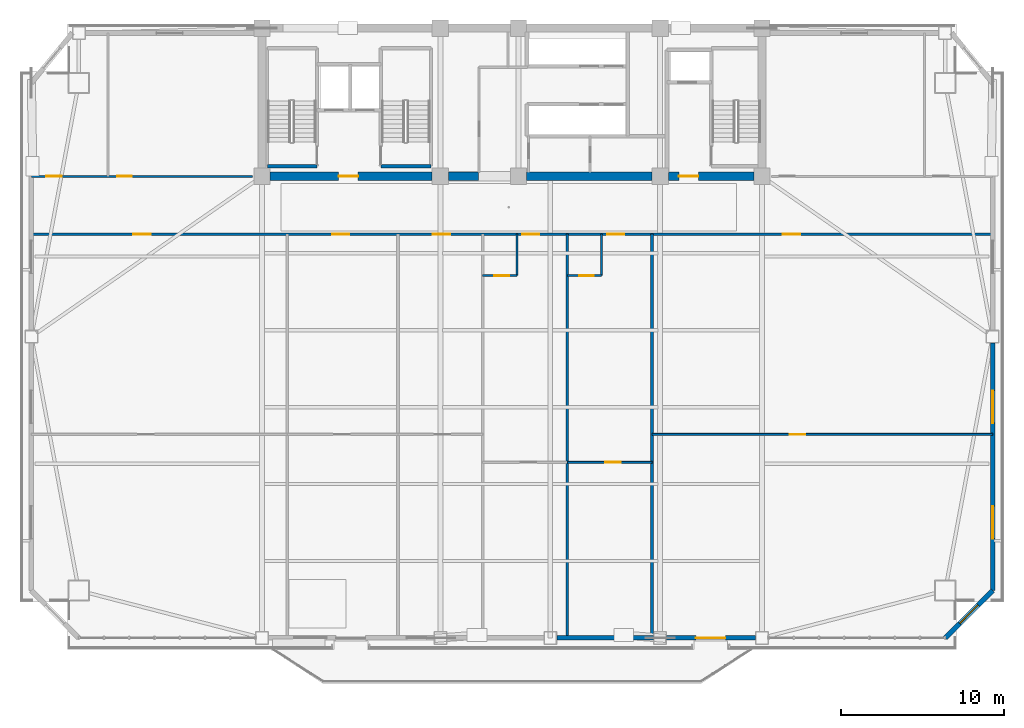
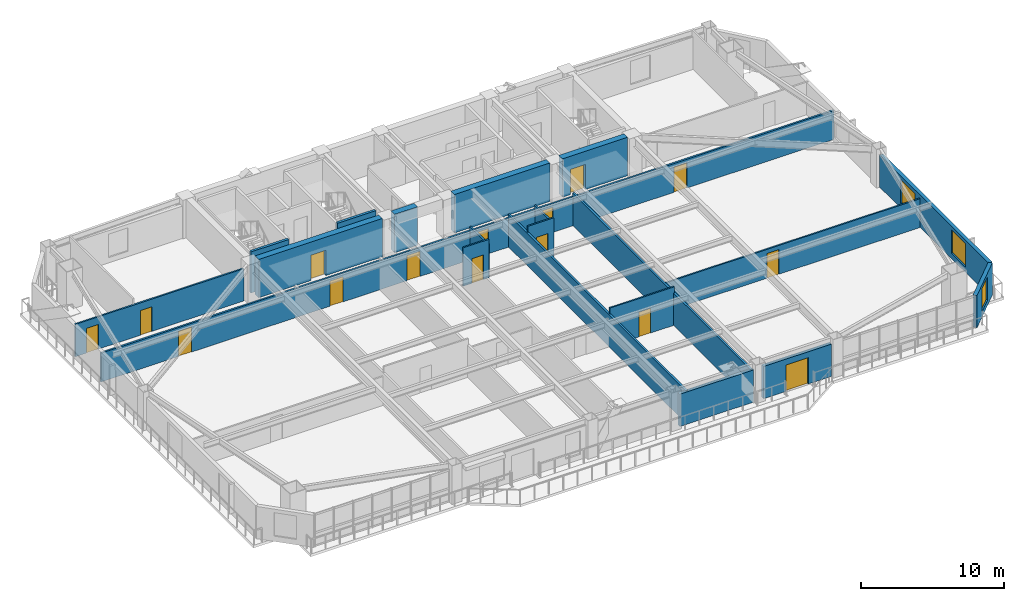
# One storey, part 8 of 16: 20 walls, 15 doors, 3 windows, 18 openings.
"""IFC4 building model written with IfcOpenShell, lengths in metres."""

import ifcopenshell
import ifcopenshell.guid

model = None  # the IFC model being written
_history = None  # IfcOwnerHistory: only IFC2X3 demands one
_inside = {}  # id of a spatial element -> (the spatial element, [elements in it])
_under = {}  # id of a project, library or spatial element -> (it, [spatial elements below it])
_declared = {}  # id of a project -> (the project, [libraries it declares])
_typed = {}  # id of a type object -> (the type object, [elements of that type])
_made_of = {}  # id of a material, layer set ... -> (it, [elements and type objects made of it])


def new_model(schema):
    """Start an empty IFC model of exactly this schema.

    Asked for "IFC4X3", IfcOpenShell would pick the latest addendum, in which some entities
    have other attributes; the version numbers below select the first issue.
    IFC2X3 requires an IfcOwnerHistory on every rooted entity: one is made here for all.
    """
    global model, _history
    if schema == "IFC4X3":
        model = ifcopenshell.file(schema_version=(4, 3, 0, 0))
    else:
        model = ifcopenshell.file(schema=schema)
    _inside.clear()
    _under.clear()
    _declared.clear()
    _typed.clear()
    _made_of.clear()
    _history = None
    if model.schema == "IFC2X3":
        org = make("IfcOrganization", Name="unknown")
        user = make(
            "IfcPersonAndOrganization",
            ThePerson=make("IfcPerson", FamilyName="unknown"),
            TheOrganization=org,
        )
        app = make(
            "IfcApplication",
            ApplicationDeveloper=org,
            Version="unknown",
            ApplicationFullName="unknown",
            ApplicationIdentifier="unknown",
        )
        _history = make(
            "IfcOwnerHistory",
            OwningUser=user,
            OwningApplication=app,
            ChangeAction="ADDED",
            CreationDate=0,
        )
    return model


def make(cls, **values):
    """One entity of the class cls with the attributes given. An attribute that is None is left unset."""
    return model.create_entity(
        cls, **{name: value for name, value in values.items() if value is not None}
    )


def rooted(cls, **values):
    """An entity with a GlobalId (a new one), such as an element, a storey or a relation."""
    return make(cls, GlobalId=ifcopenshell.guid.new(), OwnerHistory=_history, **values)


def si_unit(unit_type, name, prefix=None):
    """IfcSIUnit, for example si_unit("LENGTHUNIT", "METRE", prefix="MILLI")."""
    return make("IfcSIUnit", UnitType=unit_type, Prefix=prefix, Name=name)


def assignment(units):
    """IfcUnitAssignment: the units of a project."""
    return None if units is None else make("IfcUnitAssignment", Units=units)


def point(xyz):
    """IfcCartesianPoint."""
    return None if xyz is None else make("IfcCartesianPoint", Coordinates=xyz)


def direction(xyz):
    """IfcDirection."""
    return None if xyz is None else make("IfcDirection", DirectionRatios=xyz)


def frame(location, z_axis=None, x_axis=None):
    """IfcAxis2Placement3D, a coordinate frame: its origin and axes. An axis left out is left unset."""
    return make(
        "IfcAxis2Placement3D",
        Location=point(location),
        Axis=direction(z_axis),
        RefDirection=direction(x_axis),
    )


def frame_2d(location, x_axis=None):
    """IfcAxis2Placement2D, a coordinate frame in the plane: its origin and x axis."""
    return make(
        "IfcAxis2Placement2D", Location=point(location), RefDirection=direction(x_axis)
    )


def origin():
    """The frame at (0, 0, 0) with its axes left unset."""
    return frame((0.0, 0.0, 0.0))


def place(relative_to, where):
    """IfcLocalPlacement: puts the frame where relative to a parent placement (None: the world)."""
    return make(
        "IfcLocalPlacement", PlacementRelTo=relative_to, RelativePlacement=where
    )


def context(
    kind, dimensions, precision=None, world=None, true_north=None, identifier=None
):
    """IfcGeometricRepresentationContext, for example the 3D "Model" context."""
    return make(
        "IfcGeometricRepresentationContext",
        ContextIdentifier=identifier,
        ContextType=kind,
        CoordinateSpaceDimension=dimensions,
        Precision=precision,
        WorldCoordinateSystem=world,
        TrueNorth=true_north,
    )


def subcontext(parent, identifier, kind, view, scale=None):
    """IfcGeometricRepresentationSubContext, for example "Body" below "Model"."""
    return make(
        "IfcGeometricRepresentationSubContext",
        ContextIdentifier=identifier,
        ContextType=kind,
        ParentContext=parent,
        TargetScale=scale,
        TargetView=view,
    )


def project(units=None, contexts=None):
    """IfcProject with its units and contexts."""
    return rooted(
        "IfcProject",
        Name="project",
        RepresentationContexts=contexts,
        UnitsInContext=assignment(units),
    )


def spatial(cls, under=None, at=None, **own):
    """A site, building, storey or space (cls), placed at a placement, below another one or the project."""
    s = rooted(cls, ObjectPlacement=at, **own)
    if under is not None:
        _under.setdefault(under.id(), (under, []))[1].append(s)
    return s


def profile(cls, at=None, kind="AREA", **sizes):
    """A parametric profile (cls). Its sizes go by their IFC names, for example OverallWidth=200.0."""
    return make(cls, ProfileType=kind, Position=at, **sizes)


def rectangle(**sizes):
    """IfcRectangleProfileDef."""
    return profile("IfcRectangleProfileDef", **sizes)


def extrude(swept, where, along, depth):
    """IfcExtrudedAreaSolid: the profile swept, set in the frame where, extruded along a direction by depth."""
    return make(
        "IfcExtrudedAreaSolid",
        SweptArea=swept,
        Position=where,
        ExtrudedDirection=direction(along),
        Depth=depth,
    )


def shape(context_of_items, identifier, shape_type, items):
    """IfcShapeRepresentation: the items that make up one representation, for example the "Body"."""
    return make(
        "IfcShapeRepresentation",
        ContextOfItems=context_of_items,
        RepresentationIdentifier=identifier,
        RepresentationType=shape_type,
        Items=items,
    )


def source(mapping_origin, context_of_items, identifier, shape_type, items):
    """IfcRepresentationMap: a shape defined once, which mapped items show again and again."""
    return make(
        "IfcRepresentationMap",
        MappingOrigin=mapping_origin,
        MappedRepresentation=shape(context_of_items, identifier, shape_type, items),
    )


def transform(
    local_origin,
    x_axis=None,
    y_axis=None,
    z_axis=None,
    scale=None,
    scale2=None,
    scale3=None,
    uniform=True,
):
    """IfcCartesianTransformationOperator3D, or its non-uniform kind. x_axis, y_axis, z_axis: its Axis1, 2, 3."""
    if uniform:
        return make(
            "IfcCartesianTransformationOperator3D",
            Axis1=direction(x_axis),
            Axis2=direction(y_axis),
            LocalOrigin=point(local_origin),
            Scale=scale,
            Axis3=direction(z_axis),
        )
    return make(
        "IfcCartesianTransformationOperator3DnonUniform",
        Axis1=direction(x_axis),
        Axis2=direction(y_axis),
        LocalOrigin=point(local_origin),
        Scale=scale,
        Axis3=direction(z_axis),
        Scale2=scale2,
        Scale3=scale3,
    )


def mapped(mapping_source, mapping_target):
    """IfcMappedItem: shows the shape of a source again, moved by a transform."""
    return make(
        "IfcMappedItem", MappingSource=mapping_source, MappingTarget=mapping_target
    )


def material(Name=None, Category=None):
    """IfcMaterial."""
    return make("IfcMaterial", Name=Name, Category=Category)


def layer(
    of_material, thickness, ventilated=None, Name=None, Category=None, Priority=None
):
    """IfcMaterialLayer: one layer of a wall or slab, of a material (None: an air gap)."""
    return make(
        "IfcMaterialLayer",
        Material=of_material,
        LayerThickness=thickness,
        IsVentilated=ventilated,
        Name=Name,
        Category=Category,
        Priority=Priority,
    )


def layer_set(layers, Name=None):
    """IfcMaterialLayerSet."""
    return make("IfcMaterialLayerSet", MaterialLayers=layers, LayerSetName=Name)


def made_of(thing, what):
    """Note that an element or type object is made of a material, layer set ...; save() writes the relation."""
    if what is not None:
        _made_of.setdefault(what.id(), (what, []))[1].append(thing)
    return thing


def type_object(cls, material=None, **own):
    """A type object (cls), such as IfcWallType, which elements share."""
    return made_of(rooted(cls, **own), material)


def element(
    cls,
    number,
    at=None,
    inside=None,
    cuts=None,
    type_object=None,
    material=None,
    context=None,
    identifier="Body",
    shape_type=None,
    held_by="IfcProductDefinitionShape",
    body=None,
    shapes=None,
    **own,
):
    """One element of the class cls, such as IfcWall. Its Tag is "e" and its number.

    at: its placement. inside: the storey or other place that contains it. cuts: it is an
    opening in that element (IfcRelVoidsElement). A single representation is given by context,
    identifier, shape_type and body (its items); several are given by shapes. held_by: the class
    of the entity that holds the representations. save() writes the other relations.
    """
    e = rooted(cls, Tag="e%d" % number, ObjectPlacement=at, **own)
    if body is not None:
        shapes = [shape(context, identifier, shape_type, body)]
    if shapes is not None:
        e.Representation = make(held_by, Representations=shapes)
    if inside is not None:
        _inside.setdefault(inside.id(), (inside, []))[1].append(e)
    if cuts is not None:
        rooted(
            "IfcRelVoidsElement", RelatingBuildingElement=cuts, RelatedOpeningElement=e
        )
    if type_object is not None:
        _typed.setdefault(type_object.id(), (type_object, []))[1].append(e)
    return made_of(e, material)


def fill(opening, filler):
    """IfcRelFillsElement: the door or window that sits in an opening."""
    return rooted(
        "IfcRelFillsElement",
        RelatingOpeningElement=opening,
        RelatedBuildingElement=filler,
    )


def aggregate(whole, parts):
    """IfcRelAggregates: a whole, such as a stair, and the parts it consists of."""
    return rooted("IfcRelAggregates", RelatingObject=whole, RelatedObjects=parts)


def save(model, path):
    """Write the relations noted so far, then the file.

    IfcRelAggregates (storeys below a building ...), IfcRelContainedInSpatialStructure (elements
    in a storey), IfcRelDefinesByType, IfcRelAssociatesMaterial and IfcRelDeclares: one each for
    every whole, place, type object, material and project.
    """
    for whole, parts in _under.values():
        aggregate(whole, parts)
    for where, things in _inside.values():
        rooted(
            "IfcRelContainedInSpatialStructure",
            RelatedElements=things,
            RelatingStructure=where,
        )
    for kind, things in _typed.values():
        rooted("IfcRelDefinesByType", RelatedObjects=things, RelatingType=kind)
    for what, things in _made_of.values():
        rooted("IfcRelAssociatesMaterial", RelatedObjects=things, RelatingMaterial=what)
    for by, libraries in _declared.values():
        rooted("IfcRelDeclares", RelatingContext=by, RelatedDefinitions=libraries)
    model.write(path)


model = new_model("IFC4")

# Units and contexts
model_context = context("Model", 3, precision=1e-05, world=origin(), true_north=direction((0.0, 1.0)))
body_context = subcontext(model_context, "Body", "Model", "MODEL_VIEW")
ifc_project = project(units=[si_unit("LENGTHUNIT", "METRE"), si_unit("AREAUNIT", "SQUARE_METRE"), si_unit("VOLUMEUNIT", "CUBIC_METRE"), si_unit("PLANEANGLEUNIT", "RADIAN"), si_unit("MASSUNIT", "GRAM", prefix="KILO")], contexts=[model_context])

# Site, building, storey
site_placement = place(None, origin())
site = spatial("IfcSite", under=ifc_project, at=site_placement, CompositionType="ELEMENT")
building_placement = place(site_placement, origin())
building = spatial("IfcBuilding", under=site, at=building_placement, Name="Giltprow Tower", CompositionType="ELEMENT")
storey_placement = place(building_placement, frame((0.0, 0.0, 159.699951171875)))
storey = spatial("IfcBuildingStorey", under=building, at=storey_placement, Name="L39", CompositionType="ELEMENT", Elevation=159.699951171875)

# Wall, opening, window
ifc_material_1 = material(Name="Precast concrete C40", Category="concrete")
ifc_layer_1 = layer(ifc_material_1, 0.300048828125, Name="Precast concrete C40")
ifc_layer_set_1 = layer_set([ifc_layer_1], Name="Precast concrete C40")
wall_type_1 = type_object("IfcWallType", Name="EW-NOTCH-CHAMFER-300", PredefinedType="SOLIDWALL", material=ifc_layer_set_1)
wall_1_placement = place(storey_placement, frame((61.802978515625, 9.097900390625, 0.0), z_axis=(0.0, 0.0, 1.0), x_axis=(0.707106781187, 0.707106781187, 0.0)))
wall_1 = element("IfcWall", 1, at=wall_1_placement, inside=storey, type_object=wall_type_1, Name="L39 Corner Notch Wall SE", PredefinedType="SOLIDWALL", context=body_context, shape_type="SweptSolid", body=[
    extrude(rectangle(XDim=4.11962890625, YDim=0.300048828125, at=frame_2d((2.059814453125, 0.0))), origin(), (0.0, 0.0, 1.0), 2.75),
])
opening_1_placement = place(wall_1_placement, frame((1.260009765625, 0.0, 0.449951171875)))
opening_1 = element("IfcOpeningElement", 2, at=opening_1_placement, cuts=wall_1, Name="Opening WN17", PredefinedType="OPENING", context=body_context, shape_type="SweptSolid", body=[
    extrude(rectangle(XDim=1.60009765625, YDim=2.0, at=frame_2d((0.800048828125, 1.0))), frame((0.0, 0.159912109375, 0.0), z_axis=(0.0, -1.0, 0.0), x_axis=(1.0, 0.0, 0.0)), (0.0, 0.0, 1.0), 0.320068359375),
])
ifc_material_2 = material(Name="Insulated glass", Category="glass")
window_type_1 = type_object("IfcWindowType", Name="WN-COR-1600x2000", PartitioningType="SINGLE_PANEL", PredefinedType="WINDOW", material=ifc_material_2)
shared_shape_1 = source(origin(), body_context, "Body", "SweptSolid", [
    extrude(rectangle(XDim=1.60009765625, YDim=2.0, at=frame_2d((0.800048828125, 1.0))), frame((0.0, 0.030029296875, 0.0), z_axis=(0.0, -1.0, 0.0), x_axis=(1.0, 0.0, 0.0)), (0.0, 0.0, 1.0), 0.06005859375),
])
window_1_placement = place(opening_1_placement, origin())
window_1 = element("IfcWindow", 3, at=window_1_placement, inside=storey, type_object=window_type_1, Name="L39 Corner Notch Window SE", OverallHeight=2.0, OverallWidth=1.60009765625, PartitioningType="SINGLE_PANEL", PredefinedType="WINDOW", context=body_context, shape_type="MappedRepresentation", body=[
    mapped(shared_shape_1, transform((0.0, 0.0, 0.0), x_axis=(1.0, 0.0, 0.0), y_axis=(0.0, 1.0, 0.0), z_axis=(0.0, 0.0, 1.0), scale=1.0)),
])
fill(opening_1, window_1)

# Wall
ifc_layer_2 = layer(ifc_material_1, 0.280029296875, Name="Precast concrete C40")
ifc_layer_set_2 = layer_set([ifc_layer_2], Name="Precast concrete C40")
wall_type_2 = type_object("IfcWallType", Name="EW-TOW-BRONZE-280", PredefinedType="SOLIDWALL", material=ifc_layer_set_2)
wall_2_placement = place(storey_placement, frame((37.949951171875, 9.097900390625, 0.0), z_axis=(0.0, 0.0, 1.0), x_axis=(1.0, 0.0, 0.0)))
element("IfcWall", 4, at=wall_2_placement, inside=storey, type_object=wall_type_2, Name="L39 South Expressed Frame Wall 4", PredefinedType="SOLIDWALL", context=body_context, shape_type="SweptSolid", body=[
    extrude(rectangle(XDim=5.949951171875, YDim=0.280029296875, at=frame_2d((2.97509765625, 0.0))), origin(), (0.0, 0.0, 1.0), 2.75),
])

# Wall, opening, door
wall_3_placement = place(storey_placement, frame((44.699951171875, 9.097900390625, 0.0), z_axis=(0.0, 0.0, 1.0), x_axis=(1.0, 0.0, 0.0)))
wall_3 = element("IfcWall", 5, at=wall_3_placement, inside=storey, type_object=wall_type_2, Name="L39 South Expressed Frame Wall 5", PredefinedType="SOLIDWALL", context=body_context, shape_type="SweptSolid", body=[
    extrude(rectangle(XDim=5.449951171875, YDim=0.280029296875, at=frame_2d((2.72509765625, 0.0))), origin(), (0.0, 0.0, 1.0), 2.75),
])
opening_2_placement = place(wall_3_placement, frame((1.800048828125, 0.0, 0.0)))
opening_2 = element("IfcOpeningElement", 6, at=opening_2_placement, cuts=wall_3, Name="Opening ED25", PredefinedType="OPENING", context=body_context, shape_type="SweptSolid", body=[
    extrude(rectangle(XDim=1.800048828125, YDim=2.25, at=frame_2d((0.89990234375, 1.125))), frame((0.0, 0.14990234375, 0.0), z_axis=(0.0, -1.0, 0.0), x_axis=(1.0, 0.0, 0.0)), (0.0, 0.0, 1.0), 0.300048828125),
])
ifc_material_3 = material(Name="Anodized bronze and glass", Category="glass")
door_type_1 = type_object("IfcDoorType", Name="DR-BALC-SLIDE-1800", OperationType="SLIDING_TO_LEFT", PredefinedType="DOOR", material=ifc_material_3)
shared_shape_2 = source(origin(), body_context, "Body", "SweptSolid", [
    extrude(rectangle(XDim=1.800048828125, YDim=2.25, at=frame_2d((0.89990234375, 1.125))), frame((0.0, 0.02490234375, 0.0), z_axis=(0.0, -1.0, 0.0), x_axis=(1.0, 0.0, 0.0)), (0.0, 0.0, 1.0), 0.050048828125),
])
door_1_placement = place(opening_2_placement, origin())
door_1 = element("IfcDoor", 7, at=door_1_placement, inside=storey, type_object=door_type_1, Name="L39 Waterfront Balcony Sliding Door 2", OperationType="SLIDING_TO_LEFT", OverallHeight=2.25, OverallWidth=1.800048828125, PredefinedType="DOOR", context=body_context, shape_type="MappedRepresentation", body=[
    mapped(shared_shape_2, transform((0.0, 0.0, 0.0), x_axis=(1.0, 0.0, 0.0), y_axis=(0.0, 1.0, 0.0), z_axis=(0.0, 0.0, 1.0), scale=1.0)),
])
fill(opening_2, door_1)

# Wall, openings, windows
wall_4_placement = place(storey_placement, frame((64.716064453125, 12.010986328125, 0.0), z_axis=(0.0, 0.0, 1.0), x_axis=(0.0, 1.0, 0.0)))
wall_4 = element("IfcWall", 8, at=wall_4_placement, inside=storey, type_object=wall_type_2, Name="L39 E Wing Masonry Wall 1", PredefinedType="SOLIDWALL", context=body_context, shape_type="SweptSolid", body=[
    extrude(rectangle(XDim=15.18798828125, YDim=0.280029296875, at=frame_2d((7.593994140625, 0.0))), origin(), (0.0, 0.0, 1.0), 2.75),
])
opening_3_placement = place(wall_4_placement, frame((3.18896484375, 0.0, 0.449951171875)))
opening_3 = element("IfcOpeningElement", 9, at=opening_3_placement, cuts=wall_4, Name="Opening WN21", PredefinedType="OPENING", context=body_context, shape_type="SweptSolid", body=[
    extrude(rectangle(XDim=2.0, YDim=2.0, at=frame_2d((1.0, 1.0))), frame((0.0, 0.14990234375, 0.0), z_axis=(0.0, -1.0, 0.0), x_axis=(1.0, 0.0, 0.0)), (0.0, 0.0, 1.0), 0.300048828125),
])
opening_4_placement = place(wall_4_placement, frame((10.282958984375, 0.0, 0.449951171875)))
opening_4 = element("IfcOpeningElement", 10, at=opening_4_placement, cuts=wall_4, Name="Opening WN21", PredefinedType="OPENING", context=body_context, shape_type="SweptSolid", body=[
    extrude(rectangle(XDim=2.0, YDim=2.0, at=frame_2d((1.0, 1.0))), frame((0.0, 0.14990234375, 0.0), z_axis=(0.0, -1.0, 0.0), x_axis=(1.0, 0.0, 0.0)), (0.0, 0.0, 1.0), 0.300048828125),
])
window_type_2 = type_object("IfcWindowType", Name="WN-HTL-2000x2000", PartitioningType="DOUBLE_PANEL_VERTICAL", PredefinedType="WINDOW", material=ifc_material_2)
shared_shape_3 = source(origin(), body_context, "Body", "SweptSolid", [
    extrude(rectangle(XDim=2.0, YDim=2.0, at=frame_2d((1.0, 1.0))), frame((0.0, 0.030029296875, 0.0), z_axis=(0.0, -1.0, 0.0), x_axis=(1.0, 0.0, 0.0)), (0.0, 0.0, 1.0), 0.06005859375),
])
window_2_placement = place(opening_3_placement, origin())
window_2 = element("IfcWindow", 11, at=window_2_placement, inside=storey, type_object=window_type_2, Name="L39 E Wing Window 1-1A", OverallHeight=2.0, OverallWidth=2.0, PartitioningType="SINGLE_PANEL", PredefinedType="WINDOW", context=body_context, shape_type="MappedRepresentation", body=[
    mapped(shared_shape_3, transform((0.0, 0.0, 0.0), x_axis=(1.0, 0.0, 0.0), y_axis=(0.0, 1.0, 0.0), z_axis=(0.0, 0.0, 1.0), scale=1.0)),
])
fill(opening_3, window_2)
window_3_placement = place(opening_4_placement, origin())
window_3 = element("IfcWindow", 12, at=window_3_placement, inside=storey, type_object=window_type_2, Name="L39 E Wing Window 1-1B", OverallHeight=2.0, OverallWidth=2.0, PartitioningType="SINGLE_PANEL", PredefinedType="WINDOW", context=body_context, shape_type="MappedRepresentation", body=[
    mapped(shared_shape_3, transform((0.0, 0.0, 0.0), x_axis=(1.0, 0.0, 0.0), y_axis=(0.0, 1.0, 0.0), z_axis=(0.0, 0.0, 1.0), scale=1.0)),
])
fill(opening_4, window_3)

# Wall, openings, doors
ifc_material_4 = material(Name="Gypsum stud partition", Category="gypsum")
ifc_layer_3 = layer(ifc_material_4, 0.14990234375, Name="Gypsum stud partition")
ifc_layer_set_3 = layer_set([ifc_layer_3], Name="Gypsum stud partition")
wall_type_3 = type_object("IfcWallType", Name="IW-CORR-150", PredefinedType="PARTITIONING", material=ifc_layer_set_3)
wall_5_placement = place(storey_placement, frame((5.68408203125, 33.89990234375, 0.0), z_axis=(0.0, 0.0, 1.0), x_axis=(1.0, 0.0, 0.0)))
wall_5 = element("IfcWall", 13, at=wall_5_placement, inside=storey, type_object=wall_type_3, Name="L39 Hotel Guestroom Corridor Wall", PredefinedType="PARTITIONING", context=body_context, shape_type="SweptSolid", body=[
    extrude(rectangle(XDim=59.031982421875, YDim=0.14990234375, at=frame_2d((29.51611328125, 0.0))), origin(), (0.0, 0.0, 1.0), 2.455078125),
])
opening_5_placement = place(wall_5_placement, frame((6.264892578125, 0.0, 0.0)))
opening_5 = element("IfcOpeningElement", 14, at=opening_5_placement, cuts=wall_5, Name="Opening ID31", PredefinedType="OPENING", context=body_context, shape_type="SweptSolid", body=[
    extrude(rectangle(XDim=1.050048828125, YDim=2.14990234375, at=frame_2d((0.52490234375, 1.074951171875))), frame((0.0, 0.0849609375, 0.0), z_axis=(0.0, -1.0, 0.0), x_axis=(1.0, 0.0, 0.0)), (0.0, 0.0, 1.0), 0.169921875),
])
opening_6_placement = place(wall_5_placement, frame((18.468994140625, 0.0, 0.0)))
opening_6 = element("IfcOpeningElement", 15, at=opening_6_placement, cuts=wall_5, Name="Opening ID31", PredefinedType="OPENING", context=body_context, shape_type="SweptSolid", body=[
    extrude(rectangle(XDim=1.050048828125, YDim=2.14990234375, at=frame_2d((0.52490234375, 1.074951171875))), frame((0.0, 0.0849609375, 0.0), z_axis=(0.0, -1.0, 0.0), x_axis=(1.0, 0.0, 0.0)), (0.0, 0.0, 1.0), 0.169921875),
])
opening_7_placement = place(wall_5_placement, frame((24.660888671875, 0.0, 0.0)))
opening_7 = element("IfcOpeningElement", 16, at=opening_7_placement, cuts=wall_5, Name="Opening ID31", PredefinedType="OPENING", context=body_context, shape_type="SweptSolid", body=[
    extrude(rectangle(XDim=1.050048828125, YDim=2.14990234375, at=frame_2d((0.52490234375, 1.074951171875))), frame((0.0, 0.0849609375, 0.0), z_axis=(0.0, -1.0, 0.0), x_axis=(1.0, 0.0, 0.0)), (0.0, 0.0, 1.0), 0.169921875),
])
opening_8_placement = place(wall_5_placement, frame((30.152099609375, 0.0, 0.0)))
opening_8 = element("IfcOpeningElement", 17, at=opening_8_placement, cuts=wall_5, Name="Opening ID31", PredefinedType="OPENING", context=body_context, shape_type="SweptSolid", body=[
    extrude(rectangle(XDim=1.050048828125, YDim=2.14990234375, at=frame_2d((0.52490234375, 1.074951171875))), frame((0.0, 0.0849609375, 0.0), z_axis=(0.0, -1.0, 0.0), x_axis=(1.0, 0.0, 0.0)), (0.0, 0.0, 1.0), 0.169921875),
])
opening_9_placement = place(wall_5_placement, frame((35.35205078125, 0.0, 0.0)))
opening_9 = element("IfcOpeningElement", 18, at=opening_9_placement, cuts=wall_5, Name="Opening ID31", PredefinedType="OPENING", context=body_context, shape_type="SweptSolid", body=[
    extrude(rectangle(XDim=1.050048828125, YDim=2.14990234375, at=frame_2d((0.52490234375, 1.074951171875))), frame((0.0, 0.0849609375, 0.0), z_axis=(0.0, -1.0, 0.0), x_axis=(1.0, 0.0, 0.0)), (0.0, 0.0, 1.0), 0.169921875),
])
opening_10_placement = place(wall_5_placement, frame((46.156982421875, 0.0, 0.0)))
opening_10 = element("IfcOpeningElement", 19, at=opening_10_placement, cuts=wall_5, Name="Opening ID31", PredefinedType="OPENING", context=body_context, shape_type="SweptSolid", body=[
    extrude(rectangle(XDim=1.050048828125, YDim=2.14990234375, at=frame_2d((0.52490234375, 1.074951171875))), frame((0.0, 0.0849609375, 0.0), z_axis=(0.0, -1.0, 0.0), x_axis=(1.0, 0.0, 0.0)), (0.0, 0.0, 1.0), 0.169921875),
])
ifc_material_5 = material(Name="Engineered timber", Category="wood")
door_type_2 = type_object("IfcDoorType", Name="DR-SUITE-1050", OperationType="SINGLE_SWING_LEFT", PredefinedType="DOOR", material=ifc_material_5)
shared_shape_4 = source(origin(), body_context, "Body", "SweptSolid", [
    extrude(rectangle(XDim=1.050048828125, YDim=2.14990234375, at=frame_2d((0.52490234375, 1.074951171875))), frame((0.0, 0.02490234375, 0.0), z_axis=(0.0, -1.0, 0.0), x_axis=(1.0, 0.0, 0.0)), (0.0, 0.0, 1.0), 0.050048828125),
])
door_2_placement = place(opening_5_placement, origin())
door_2 = element("IfcDoor", 20, at=door_2_placement, inside=storey, type_object=door_type_2, Name="L39 Suite Reception Foyer Door", OperationType="SINGLE_SWING_RIGHT", OverallHeight=2.14990234375, OverallWidth=1.050048828125, PredefinedType="DOOR", context=body_context, shape_type="MappedRepresentation", body=[
    mapped(shared_shape_4, transform((0.0, 0.0, 0.0), x_axis=(1.0, 0.0, 0.0), y_axis=(0.0, 1.0, 0.0), z_axis=(0.0, 0.0, 1.0), scale=1.0)),
])
fill(opening_5, door_2)
door_3_placement = place(opening_6_placement, origin())
door_3 = element("IfcDoor", 21, at=door_3_placement, inside=storey, type_object=door_type_2, Name="L39 Suite Reception Foyer Door", OperationType="SINGLE_SWING_RIGHT", OverallHeight=2.14990234375, OverallWidth=1.050048828125, PredefinedType="DOOR", context=body_context, shape_type="MappedRepresentation", body=[
    mapped(shared_shape_4, transform((0.0, 0.0, 0.0), x_axis=(1.0, 0.0, 0.0), y_axis=(0.0, 1.0, 0.0), z_axis=(0.0, 0.0, 1.0), scale=1.0)),
])
fill(opening_6, door_3)
door_4_placement = place(opening_7_placement, origin())
door_4 = element("IfcDoor", 22, at=door_4_placement, inside=storey, type_object=door_type_2, Name="L39 Suite Reception Foyer Door", OperationType="SINGLE_SWING_RIGHT", OverallHeight=2.14990234375, OverallWidth=1.050048828125, PredefinedType="DOOR", context=body_context, shape_type="MappedRepresentation", body=[
    mapped(shared_shape_4, transform((0.0, 0.0, 0.0), x_axis=(1.0, 0.0, 0.0), y_axis=(0.0, 1.0, 0.0), z_axis=(0.0, 0.0, 1.0), scale=1.0)),
])
fill(opening_7, door_4)
door_5_placement = place(opening_8_placement, origin())
door_5 = element("IfcDoor", 23, at=door_5_placement, inside=storey, type_object=door_type_2, Name="L39 Hotel Room 4 Entry Door", OperationType="SINGLE_SWING_RIGHT", OverallHeight=2.14990234375, OverallWidth=1.050048828125, PredefinedType="DOOR", context=body_context, shape_type="MappedRepresentation", body=[
    mapped(shared_shape_4, transform((0.0, 0.0, 0.0), x_axis=(1.0, 0.0, 0.0), y_axis=(0.0, 1.0, 0.0), z_axis=(0.0, 0.0, 1.0), scale=1.0)),
])
fill(opening_8, door_5)
door_6_placement = place(opening_9_placement, origin())
door_6 = element("IfcDoor", 24, at=door_6_placement, inside=storey, type_object=door_type_2, Name="L39 Hotel Room 5 Entry Door", OperationType="SINGLE_SWING_LEFT", OverallHeight=2.14990234375, OverallWidth=1.050048828125, PredefinedType="DOOR", context=body_context, shape_type="MappedRepresentation", body=[
    mapped(shared_shape_4, transform((0.0, 0.0, 0.0), x_axis=(1.0, 0.0, 0.0), y_axis=(0.0, 1.0, 0.0), z_axis=(0.0, 0.0, 1.0), scale=1.0)),
])
fill(opening_9, door_6)
door_7_placement = place(opening_10_placement, origin())
door_7 = element("IfcDoor", 25, at=door_7_placement, inside=storey, type_object=door_type_2, Name="L39 Suite Reception Foyer Door", OperationType="SINGLE_SWING_RIGHT", OverallHeight=2.14990234375, OverallWidth=1.050048828125, PredefinedType="DOOR", context=body_context, shape_type="MappedRepresentation", body=[
    mapped(shared_shape_4, transform((0.0, 0.0, 0.0), x_axis=(1.0, 0.0, 0.0), y_axis=(0.0, 1.0, 0.0), z_axis=(0.0, 0.0, 1.0), scale=1.0)),
])
fill(opening_10, door_7)

# Walls
ifc_layer_4 = layer(ifc_material_4, 0.159912109375, Name="Gypsum stud partition")
ifc_layer_set_4 = layer_set([ifc_layer_4], Name="Gypsum stud partition")
wall_type_4 = type_object("IfcWallType", Name="IW-DEMISE-160", PredefinedType="PARTITIONING", material=ifc_layer_set_4)
for number, where, z_axis, x_axis, name in (
    (26, (38.60009765625, 9.097900390625, 0.0), (0.0, 0.0, 1.0), (0.0, 1.0, 0.0), "L39 Hotel Demising Wall 4"),
    (27, (43.800048828125, 9.097900390625, 0.0), (0.0, 0.0, 1.0), (0.0, 1.0, 0.0), "L39 Hotel Demising Wall 5"),
):
    element("IfcWall", number, at=place(storey_placement, frame(where, z_axis=z_axis, x_axis=x_axis)), inside=storey, type_object=wall_type_4, Name=name, PredefinedType="PARTITIONING", context=body_context, shape_type="SweptSolid", body=[
        extrude(rectangle(XDim=24.802001953125, YDim=0.159912109375, at=frame_2d((12.40087890625, 0.0))), origin(), (0.0, 0.0, 1.0), 2.755126953125),
    ])

# Wall, opening, door
ifc_layer_5 = layer(ifc_material_4, 0.1201171875, Name="Gypsum stud partition")
ifc_layer_set_5 = layer_set([ifc_layer_5], Name="Gypsum stud partition")
wall_type_5 = type_object("IfcWallType", Name="IW-ROOM-120", PredefinedType="PARTITIONING", material=ifc_layer_set_5)
wall_6_placement = place(storey_placement, frame((38.60009765625, 19.883056640625, 0.0), z_axis=(0.0, 0.0, 1.0), x_axis=(1.0, 0.0, 0.0)))
wall_6 = element("IfcWall", 28, at=wall_6_placement, inside=storey, type_object=wall_type_5, Name="L39 Suite Parlour Divider 5", PredefinedType="PARTITIONING", context=body_context, shape_type="SweptSolid", body=[
    extrude(rectangle(XDim=5.199951171875, YDim=0.1201171875, at=frame_2d((2.60009765625, 0.0))), origin(), (0.0, 0.0, 1.0), 3.27001953125),
])
opening_11_placement = place(wall_6_placement, frame((2.324951171875, 0.0, 0.0)))
opening_11 = element("IfcOpeningElement", 29, at=opening_11_placement, cuts=wall_6, Name="Opening ID11", PredefinedType="OPENING", context=body_context, shape_type="SweptSolid", body=[
    extrude(rectangle(XDim=0.949951171875, YDim=2.10009765625, at=frame_2d((0.47509765625, 1.050048828125))), frame((0.0, 0.070068359375, 0.0), z_axis=(0.0, -1.0, 0.0), x_axis=(1.0, 0.0, 0.0)), (0.0, 0.0, 1.0), 0.14013671875),
])
door_type_3 = type_object("IfcDoorType", Name="DR-ROOM-950", OperationType="SINGLE_SWING_RIGHT", PredefinedType="DOOR", material=ifc_material_5)
shared_shape_5 = source(origin(), body_context, "Body", "SweptSolid", [
    extrude(rectangle(XDim=0.949951171875, YDim=2.10009765625, at=frame_2d((0.47509765625, 1.050048828125))), frame((0.0, 0.02490234375, 0.0), z_axis=(0.0, -1.0, 0.0), x_axis=(1.0, 0.0, 0.0)), (0.0, 0.0, 1.0), 0.050048828125),
])
door_8_placement = place(opening_11_placement, origin())
door_8 = element("IfcDoor", 30, at=door_8_placement, inside=storey, type_object=door_type_3, Name="L39 Harbour Parlour 5 Door", OperationType="SINGLE_SWING_LEFT", OverallHeight=2.10009765625, OverallWidth=0.949951171875, PredefinedType="DOOR", context=body_context, shape_type="MappedRepresentation", body=[
    mapped(shared_shape_5, transform((0.0, 0.0, 0.0), x_axis=(1.0, 0.0, 0.0), y_axis=(0.0, 1.0, 0.0), z_axis=(0.0, 0.0, 1.0), scale=1.0)),
])
fill(opening_11, door_8)

wall_7_placement = place(storey_placement, frame((43.800048828125, 21.59912109375, 0.0), z_axis=(0.0, 0.0, 1.0), x_axis=(1.0, 0.0, 0.0)))
wall_7 = element("IfcWall", 31, at=wall_7_placement, inside=storey, type_object=wall_type_5, Name="L39 Amenity Mid Wall 6", PredefinedType="PARTITIONING", context=body_context, shape_type="SweptSolid", body=[
    extrude(rectangle(XDim=20.916015625, YDim=0.1201171875, at=frame_2d((10.4580078125, 0.0))), origin(), (0.0, 0.0, 1.0), 2.455078125),
])
opening_12_placement = place(wall_7_placement, frame((8.451904296875, 0.0, 0.0)))
opening_12 = element("IfcOpeningElement", 32, at=opening_12_placement, cuts=wall_7, Name="Opening ID11", PredefinedType="OPENING", context=body_context, shape_type="SweptSolid", body=[
    extrude(rectangle(XDim=0.949951171875, YDim=2.10009765625, at=frame_2d((0.47509765625, 1.050048828125))), frame((0.0, 0.070068359375, 0.0), z_axis=(0.0, -1.0, 0.0), x_axis=(1.0, 0.0, 0.0)), (0.0, 0.0, 1.0), 0.14013671875),
])
door_9_placement = place(opening_12_placement, origin())
door_9 = element("IfcDoor", 33, at=door_9_placement, inside=storey, type_object=door_type_3, Name="L39 Finance Audit Office 4 Inner Door", OperationType="SINGLE_SWING_LEFT", OverallHeight=2.10009765625, OverallWidth=0.949951171875, PredefinedType="DOOR", context=body_context, shape_type="MappedRepresentation", body=[
    mapped(shared_shape_5, transform((0.0, 0.0, 0.0), x_axis=(1.0, 0.0, 0.0), y_axis=(0.0, 1.0, 0.0), z_axis=(0.0, 0.0, 1.0), scale=1.0)),
])
fill(opening_12, door_9)

# Walls
ifc_material_6 = material(Name="Concrete C40", Category="concrete")
ifc_layer_6 = layer(ifc_material_6, 0.199951171875, Name="Concrete C40")
ifc_layer_set_6 = layer_set([ifc_layer_6], Name="Concrete C40")
wall_type_6 = type_object("IfcWallType", Name="IW-STAIR-200", PredefinedType="SOLIDWALL", material=ifc_layer_set_6)
wall_8_placement = place(storey_placement, frame((20.169921875, 38.070068359375, 0.0), z_axis=(0.0, 0.0, 1.0), x_axis=(1.0, 0.0, 0.0)))
element("IfcWall", 34, at=wall_8_placement, inside=storey, type_object=wall_type_6, Name="L39 Stair ST-1 South Bearing Wall", PredefinedType="SOLIDWALL", context=body_context, shape_type="SweptSolid", body=[
    extrude(rectangle(XDim=3.050048828125, YDim=0.199951171875, at=frame_2d((1.52490234375, 0.0))), origin(), (0.0, 0.0, 1.0), 3.5),
])
wall_9_placement = place(storey_placement, frame((27.139892578125, 38.070068359375, 0.0), z_axis=(0.0, 0.0, 1.0), x_axis=(1.0, 0.0, 0.0)))
element("IfcWall", 35, at=wall_9_placement, inside=storey, type_object=wall_type_6, Name="L39 Stair ST-2 South Bearing Wall", PredefinedType="SOLIDWALL", context=body_context, shape_type="SweptSolid", body=[
    extrude(rectangle(XDim=3.080078125, YDim=0.199951171875, at=frame_2d((1.5400390625, 0.0))), origin(), (0.0, 0.0, 1.0), 3.5),
])

# Wall, opening, door
ifc_material_7 = material(Name="Concrete C30", Category="concrete")
ifc_layer_7 = layer(ifc_material_7, 0.1298828125, Name="Concrete C30")
ifc_layer_set_7 = layer_set([ifc_layer_7], Name="Concrete C30")
wall_type_7 = type_object("IfcWallType", Name="IW-WET-130", PredefinedType="PARTITIONING", material=ifc_layer_set_7)
wall_10_placement = place(storey_placement, frame((33.39990234375, 31.35009765625, 0.0), z_axis=(0.0, 0.0, 1.0), x_axis=(1.0, 0.0, 0.0)))
wall_10 = element("IfcWall", 36, at=wall_10_placement, inside=storey, type_object=wall_type_7, Name="L39 En-Suite South Wall 4", PredefinedType="PARTITIONING", context=body_context, shape_type="SweptSolid", body=[
    extrude(rectangle(XDim=2.09619140625, YDim=0.1298828125, at=frame_2d((1.048095703125, 0.0))), origin(), (0.0, 0.0, 1.0), 3.27001953125),
])
opening_13_placement = place(wall_10_placement, frame((0.718017578125, 0.0, 0.0)))
opening_13 = element("IfcOpeningElement", 37, at=opening_13_placement, cuts=wall_10, Name="Opening ID15", PredefinedType="OPENING", context=body_context, shape_type="SweptSolid", body=[
    extrude(rectangle(XDim=0.89990234375, YDim=2.10009765625, at=frame_2d((0.449951171875, 1.050048828125))), frame((0.0, 0.074951171875, 0.0), z_axis=(0.0, -1.0, 0.0), x_axis=(1.0, 0.0, 0.0)), (0.0, 0.0, 1.0), 0.14990234375),
])
door_type_4 = type_object("IfcDoorType", Name="DR-WC-900", OperationType="SINGLE_SWING_LEFT", PredefinedType="DOOR", material=ifc_material_5)
shared_shape_6 = source(origin(), body_context, "Body", "SweptSolid", [
    extrude(rectangle(XDim=0.89990234375, YDim=2.10009765625, at=frame_2d((0.449951171875, 1.050048828125))), frame((0.0, 0.02490234375, 0.0), z_axis=(0.0, -1.0, 0.0), x_axis=(1.0, 0.0, 0.0)), (0.0, 0.0, 1.0), 0.050048828125),
])
door_10_placement = place(opening_13_placement, origin())
door_10 = element("IfcDoor", 38, at=door_10_placement, inside=storey, type_object=door_type_4, Name="L39 En-Suite 4 Door", OperationType="SINGLE_SWING_LEFT", OverallHeight=2.10009765625, OverallWidth=0.89990234375, PredefinedType="DOOR", context=body_context, shape_type="MappedRepresentation", body=[
    mapped(shared_shape_6, transform((0.0, 0.0, 0.0), x_axis=(1.0, 0.0, 0.0), y_axis=(0.0, 1.0, 0.0), z_axis=(0.0, 0.0, 1.0), scale=1.0)),
])
fill(opening_13, door_10)

# Wall
wall_11_placement = place(storey_placement, frame((35.49609375, 31.35009765625, 0.0), z_axis=(0.0, 0.0, 1.0), x_axis=(0.0, 1.0, 0.0)))
element("IfcWall", 39, at=wall_11_placement, inside=storey, type_object=wall_type_7, Name="L39 En-Suite East Wall 4", PredefinedType="PARTITIONING", context=body_context, shape_type="SweptSolid", body=[
    extrude(rectangle(XDim=2.5498046875, YDim=0.1298828125, at=frame_2d((1.27490234375, 0.0))), origin(), (0.0, 0.0, 1.0), 2.804931640625),
])

# Wall, opening, door
wall_12_placement = place(storey_placement, frame((38.60009765625, 31.35009765625, 0.0), z_axis=(0.0, 0.0, 1.0), x_axis=(1.0, 0.0, 0.0)))
wall_12 = element("IfcWall", 40, at=wall_12_placement, inside=storey, type_object=wall_type_7, Name="L39 En-Suite South Wall 5", PredefinedType="PARTITIONING", context=body_context, shape_type="SweptSolid", body=[
    extrude(rectangle(XDim=2.095947265625, YDim=0.1298828125, at=frame_2d((1.0478515625, 0.0))), origin(), (0.0, 0.0, 1.0), 3.27001953125),
])
opening_14_placement = place(wall_12_placement, frame((0.718017578125, 0.0, 0.0)))
opening_14 = element("IfcOpeningElement", 41, at=opening_14_placement, cuts=wall_12, Name="Opening ID15", PredefinedType="OPENING", context=body_context, shape_type="SweptSolid", body=[
    extrude(rectangle(XDim=0.89990234375, YDim=2.10009765625, at=frame_2d((0.449951171875, 1.050048828125))), frame((0.0, 0.074951171875, 0.0), z_axis=(0.0, -1.0, 0.0), x_axis=(1.0, 0.0, 0.0)), (0.0, 0.0, 1.0), 0.14990234375),
])
door_11_placement = place(opening_14_placement, origin())
door_11 = element("IfcDoor", 42, at=door_11_placement, inside=storey, type_object=door_type_4, Name="L39 En-Suite 5 Door", OperationType="SINGLE_SWING_RIGHT", OverallHeight=2.10009765625, OverallWidth=0.89990234375, PredefinedType="DOOR", context=body_context, shape_type="MappedRepresentation", body=[
    mapped(shared_shape_6, transform((0.0, 0.0, 0.0), x_axis=(1.0, 0.0, 0.0), y_axis=(0.0, 1.0, 0.0), z_axis=(0.0, 0.0, 1.0), scale=1.0)),
])
fill(opening_14, door_11)

# Wall
wall_13_placement = place(storey_placement, frame((40.696044921875, 31.35009765625, 0.0), z_axis=(0.0, 0.0, 1.0), x_axis=(0.0, 1.0, 0.0)))
element("IfcWall", 43, at=wall_13_placement, inside=storey, type_object=wall_type_7, Name="L39 En-Suite East Wall 5", PredefinedType="PARTITIONING", context=body_context, shape_type="SweptSolid", body=[
    extrude(rectangle(XDim=2.5498046875, YDim=0.1298828125, at=frame_2d((1.27490234375, 0.0))), origin(), (0.0, 0.0, 1.0), 2.804931640625),
])

# Wall, openings, doors
wall_14_placement = place(storey_placement, frame((5.68408203125, 37.449951171875, 0.0), z_axis=(0.0, 0.0, 1.0), x_axis=(1.0, 0.0, 0.0)))
wall_14 = element("IfcWall", 44, at=wall_14_placement, inside=storey, type_object=wall_type_7, Name="L39 NW Wing South Wall", PredefinedType="PARTITIONING", context=body_context, shape_type="SweptSolid", body=[
    extrude(rectangle(XDim=13.56591796875, YDim=0.1298828125, at=frame_2d((6.782958984375, 0.0))), origin(), (0.0, 0.0, 1.0), 2.755126953125),
])
opening_15_placement = place(wall_14_placement, frame((0.89990234375, 0.0, 0.0)))
opening_15 = element("IfcOpeningElement", 45, at=opening_15_placement, cuts=wall_14, Name="Opening ID11", PredefinedType="OPENING", context=body_context, shape_type="SweptSolid", body=[
    extrude(rectangle(XDim=0.949951171875, YDim=2.10009765625, at=frame_2d((0.47509765625, 1.050048828125))), frame((0.0, 0.074951171875, 0.0), z_axis=(0.0, -1.0, 0.0), x_axis=(1.0, 0.0, 0.0)), (0.0, 0.0, 1.0), 0.14990234375),
])
opening_16_placement = place(wall_14_placement, frame((5.260009765625, 0.0, 0.0)))
opening_16 = element("IfcOpeningElement", 46, at=opening_16_placement, cuts=wall_14, Name="Opening ID15", PredefinedType="OPENING", context=body_context, shape_type="SweptSolid", body=[
    extrude(rectangle(XDim=0.89990234375, YDim=2.10009765625, at=frame_2d((0.449951171875, 1.050048828125))), frame((0.0, 0.074951171875, 0.0), z_axis=(0.0, -1.0, 0.0), x_axis=(1.0, 0.0, 0.0)), (0.0, 0.0, 1.0), 0.14990234375),
])
door_12_placement = place(opening_16_placement, origin())
door_12 = element("IfcDoor", 47, at=door_12_placement, inside=storey, type_object=door_type_4, Name="L39 NW Washroom Door", OperationType="SINGLE_SWING_LEFT", OverallHeight=2.10009765625, OverallWidth=0.89990234375, PredefinedType="DOOR", context=body_context, shape_type="MappedRepresentation", body=[
    mapped(shared_shape_6, transform((0.0, 0.0, 0.0), x_axis=(1.0, 0.0, 0.0), y_axis=(0.0, 1.0, 0.0), z_axis=(0.0, 0.0, 1.0), scale=1.0)),
])
fill(opening_16, door_12)
door_13_placement = place(opening_15_placement, origin())
door_13 = element("IfcDoor", 48, at=door_13_placement, inside=storey, type_object=door_type_3, Name="L39 Hotel Floor Butler Office West Door", OperationType="SINGLE_SWING_RIGHT", OverallHeight=2.10009765625, OverallWidth=0.949951171875, PredefinedType="DOOR", context=body_context, shape_type="MappedRepresentation", body=[
    mapped(shared_shape_5, transform((0.0, 0.0, 0.0), x_axis=(1.0, 0.0, 0.0), y_axis=(0.0, 1.0, 0.0), z_axis=(0.0, 0.0, 1.0), scale=1.0)),
])
fill(opening_15, door_13)

# Wall, opening, door
ifc_material_8 = material(Name="Concrete C50", Category="concrete")
ifc_layer_8 = layer(ifc_material_8, 0.5, Name="Concrete C50")
ifc_layer_set_8 = layer_set([ifc_layer_8], Name="Concrete C50")
wall_type_8 = type_object("IfcWallType", Name="SW-INT-500-C50", PredefinedType="SHEAR", material=ifc_layer_set_8)
wall_15_placement = place(storey_placement, frame((20.35009765625, 37.449951171875, 0.0), z_axis=(0.0, 0.0, 1.0), x_axis=(1.0, 0.0, 0.0)))
wall_15 = element("IfcWall", 49, at=wall_15_placement, inside=storey, type_object=wall_type_8, Name="L39 South Rear Core Shear Wall West", PredefinedType="SHEAR", context=body_context, shape_type="SweptSolid", body=[
    extrude(rectangle(XDim=9.949951171875, YDim=0.5, at=frame_2d((4.97509765625, 0.0))), origin(), (0.0, 0.0, 1.0), 3.27001953125),
])
opening_17_placement = place(wall_15_placement, frame((4.199951171875, 0.0, 0.0)))
opening_17 = element("IfcOpeningElement", 50, at=opening_17_placement, cuts=wall_15, Name="Opening ID19", PredefinedType="OPENING", context=body_context, shape_type="SweptSolid", body=[
    extrude(rectangle(XDim=1.199951171875, YDim=2.14990234375, at=frame_2d((0.60009765625, 1.074951171875))), frame((0.0, 0.260009765625, 0.0), z_axis=(0.0, -1.0, 0.0), x_axis=(1.0, 0.0, 0.0)), (0.0, 0.0, 1.0), 0.52001953125),
])
ifc_material_9 = material(Name="Steel fire leaf", Category="steel")
door_type_5 = type_object("IfcDoorType", Name="DR-FFLOBBY-1200", OperationType="SINGLE_SWING_RIGHT", PredefinedType="DOOR", material=ifc_material_9)
shared_shape_7 = source(origin(), body_context, "Body", "SweptSolid", [
    extrude(rectangle(XDim=1.199951171875, YDim=2.14990234375, at=frame_2d((0.60009765625, 1.074951171875))), frame((0.0, 0.02490234375, 0.0), z_axis=(0.0, -1.0, 0.0), x_axis=(1.0, 0.0, 0.0)), (0.0, 0.0, 1.0), 0.050048828125),
])
door_14_placement = place(opening_17_placement, origin())
door_14 = element("IfcDoor", 51, at=door_14_placement, inside=storey, type_object=door_type_5, Name="L39 West Firefighting Lobby Entry Door", OperationType="SINGLE_SWING_LEFT", OverallHeight=2.14990234375, OverallWidth=1.199951171875, PredefinedType="DOOR", context=body_context, shape_type="MappedRepresentation", body=[
    mapped(shared_shape_7, transform((0.0, 0.0, 0.0), x_axis=(1.0, 0.0, 0.0), y_axis=(0.0, 1.0, 0.0), z_axis=(0.0, 0.0, 1.0), scale=1.0)),
])
fill(opening_17, door_14)

# Walls
wall_16_placement = place(storey_placement, frame((31.300048828125, 37.449951171875, 0.0), z_axis=(0.0, 0.0, 1.0), x_axis=(1.0, 0.0, 0.0)))
element("IfcWall", 52, at=wall_16_placement, inside=storey, type_object=wall_type_8, Name="L39 South Rear Core Shear Wall Mid-West", PredefinedType="SHEAR", context=body_context, shape_type="SweptSolid", body=[
    extrude(rectangle(XDim=1.849853515625, YDim=0.5, at=frame_2d((0.9248046875, 0.0))), origin(), (0.0, 0.0, 1.0), 3.27001953125),
])
wall_17_placement = place(storey_placement, frame((36.10009765625, 37.449951171875, 0.0), z_axis=(0.0, 0.0, 1.0), x_axis=(1.0, 0.0, 0.0)))
element("IfcWall", 53, at=wall_17_placement, inside=storey, type_object=wall_type_8, Name="L39 South Rear Core Shear Wall Mid-East", PredefinedType="SHEAR", context=body_context, shape_type="SweptSolid", body=[
    extrude(rectangle(XDim=7.699951171875, YDim=0.5, at=frame_2d((3.85009765625, 0.0))), origin(), (0.0, 0.0, 1.0), 3.27001953125),
])

# Wall, opening, door
wall_18_placement = place(storey_placement, frame((44.800048828125, 37.449951171875, 0.0), z_axis=(0.0, 0.0, 1.0), x_axis=(1.0, 0.0, 0.0)))
wall_18 = element("IfcWall", 54, at=wall_18_placement, inside=storey, type_object=wall_type_8, Name="L39 South Rear Core Shear Wall East", PredefinedType="SHEAR", context=body_context, shape_type="SweptSolid", body=[
    extrude(rectangle(XDim=5.25, YDim=0.5, at=frame_2d((2.625, 0.0))), origin(), (0.0, 0.0, 1.0), 3.27001953125),
])
opening_18_placement = place(wall_18_placement, frame((0.64990234375, 0.0, 0.0)))
opening_18 = element("IfcOpeningElement", 55, at=opening_18_placement, cuts=wall_18, Name="Opening ID19", PredefinedType="OPENING", context=body_context, shape_type="SweptSolid", body=[
    extrude(rectangle(XDim=1.199951171875, YDim=2.14990234375, at=frame_2d((0.60009765625, 1.074951171875))), frame((0.0, 0.260009765625, 0.0), z_axis=(0.0, -1.0, 0.0), x_axis=(1.0, 0.0, 0.0)), (0.0, 0.0, 1.0), 0.52001953125),
])
door_15_placement = place(opening_18_placement, origin())
door_15 = element("IfcDoor", 56, at=door_15_placement, inside=storey, type_object=door_type_5, Name="L39 East Firefighting Lobby Entry Door", OperationType="SINGLE_SWING_RIGHT", OverallHeight=2.14990234375, OverallWidth=1.199951171875, PredefinedType="DOOR", context=body_context, shape_type="MappedRepresentation", body=[
    mapped(shared_shape_7, transform((0.0, 0.0, 0.0), x_axis=(1.0, 0.0, 0.0), y_axis=(0.0, 1.0, 0.0), z_axis=(0.0, 0.0, 1.0), scale=1.0)),
])
fill(opening_18, door_15)

save(model, "model.ifc")
